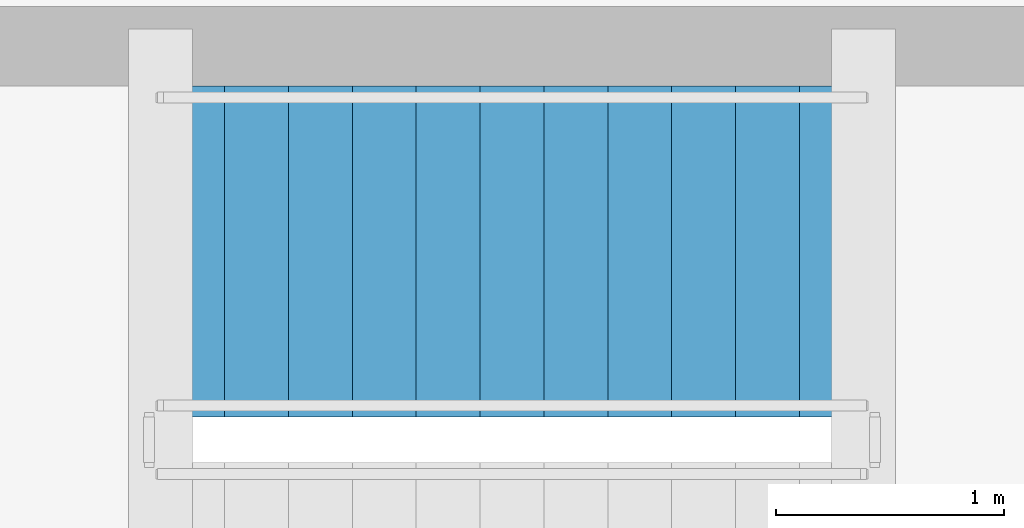
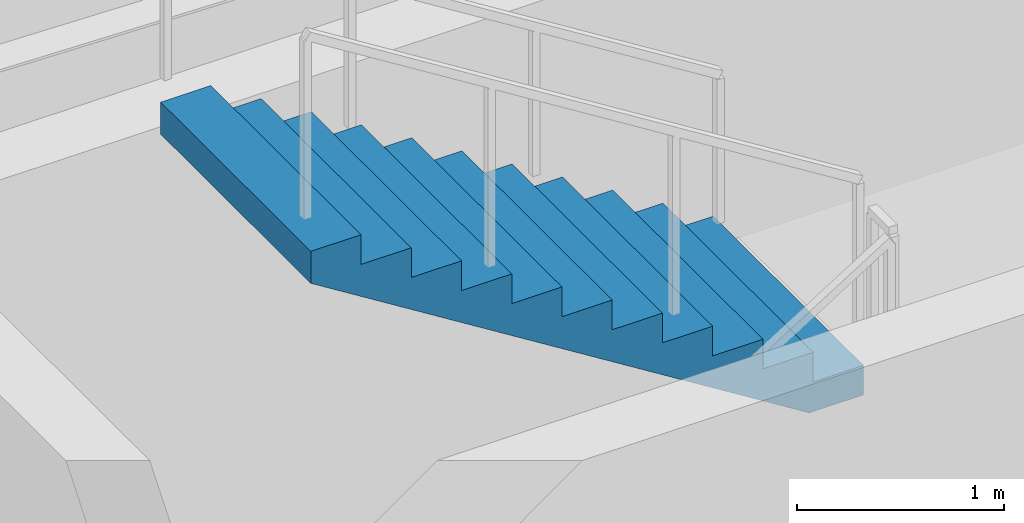
# One storey, part 4 of 5: 1 stair flight, 1 element without a shape of its own.
"""IFC4 building model written with IfcOpenShell, lengths in metres."""

from ifc_helpers import new_model, si_unit, direction, frame, origin, place, context, subcontext, project, spatial, polyline, outline, extrude, material, type_object, element, aggregate, save


model = new_model("IFC4")

# Units and contexts
model_context = context("Model", 3, precision=1e-05, world=origin(), true_north=direction((0.0, 1.0)))
body_context = subcontext(model_context, "Body", "Model", "MODEL_VIEW")
ifc_project = project(units=[si_unit("LENGTHUNIT", "METRE"), si_unit("AREAUNIT", "SQUARE_METRE"), si_unit("VOLUMEUNIT", "CUBIC_METRE"), si_unit("PLANEANGLEUNIT", "RADIAN"), si_unit("MASSUNIT", "GRAM", prefix="KILO")], contexts=[model_context])

# Site, building, storey
site_placement = place(None, origin())
site = spatial("IfcSite", under=ifc_project, at=site_placement, CompositionType="ELEMENT")
building_placement = place(site_placement, origin())
building = spatial("IfcBuilding", under=site, at=building_placement, Name="Korentha Bioscience Tower", CompositionType="ELEMENT")
storey_placement = place(building_placement, frame((0.0, 0.0, 335.39990234375)))
storey = spatial("IfcBuildingStorey", under=building, at=storey_placement, Name="L77", CompositionType="ELEMENT", Elevation=335.39990234375)

# Stair, stair flight
ifc_material = material(Name="Precast Concrete C50", Category="concrete")
stair_type = type_object("IfcStairType", Name="Core Exit Dog-Leg Stair 1450", PredefinedType="HALF_TURN_STAIR", material=ifc_material)
stair_placement = place(storey_placement, origin())
stair = element("IfcStair", 1, at=stair_placement, inside=storey, type_object=stair_type, Name="L77 Tower North Pressurized Exit Stair ST-1", PredefinedType="HALF_TURN_STAIR")
stair_flight_type = type_object("IfcStairFlightType", Name="Core Exit Dog-Leg Stair 1450 Flight", PredefinedType="STRAIGHT", material=ifc_material)
stair_flight_placement = place(storey_placement, frame((33.330078125, 34.47509765625, 2.10009765625), z_axis=(0.0, 0.0, 1.0), x_axis=(-1.0, 0.0, 0.0)))
stair_flight = element("IfcStairFlight", 2, at=stair_flight_placement, type_object=stair_flight_type, Name="ST-1 flight 2", NumberOfRisers=12, NumberOfTreads=11, PredefinedType="STRAIGHT", RiserHeight=0.175, TreadLength=0.28, context=body_context, shape_type="SweptSolid", body=[
    extrude(outline(polyline([(0.0, 0.0), (0.0, 0.175048828125), (0.280029296875, 0.175048828125), (0.280029296875, 0.35009765625), (0.56005859375, 0.35009765625), (0.56005859375, 0.52490234375), (0.840087890625, 0.52490234375), (0.840087890625, 0.699951171875), (1.1201171875, 0.699951171875), (1.1201171875, 0.875), (1.39990234375, 0.875), (1.39990234375, 1.050048828125), (1.679931640625, 1.050048828125), (1.679931640625, 1.22509765625), (1.9599609375, 1.22509765625), (1.9599609375, 1.39990234375), (2.239990234375, 1.39990234375), (2.239990234375, 1.574951171875), (2.52001953125, 1.574951171875), (2.52001953125, 1.75), (2.800048828125, 1.75), (2.800048828125, 1.925048828125), (3.080078125, 1.925048828125), (3.080078125, 2.10009765625), (3.080078125, 1.736328125), (0.3017578125, 0.0), (0.0, 0.0)])), frame((0.0, 0.72509765625, 0.0), z_axis=(0.0, -1.0, 0.0), x_axis=(1.0, 0.0, 0.0)), (0.0, 0.0, 1.0), 1.449951171875),
])
aggregate(stair, [stair_flight])

save(model, "model.ifc")
